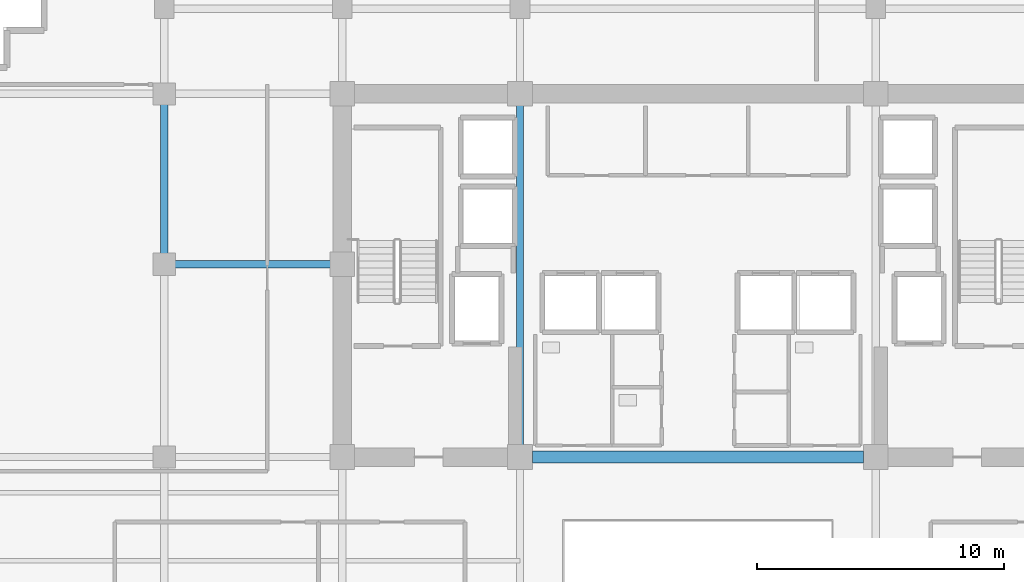
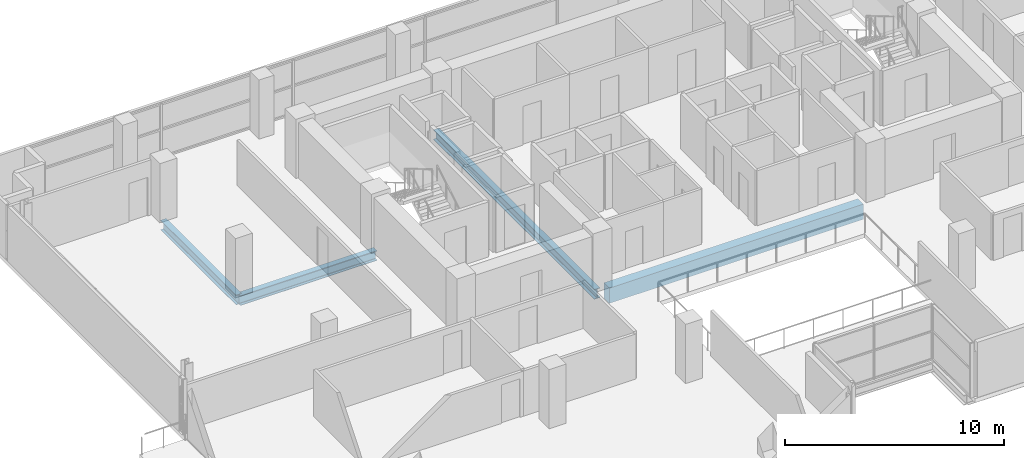
# One storey, part 9 of 27: 4 beams.
"""IFC4 building model written with IfcOpenShell, lengths in metres."""

from ifc_helpers import new_model, si_unit, direction, frame, origin, origin_2d, place, context, subcontext, project, spatial, rectangle, i_section, extrude, material, material_profile, profile_set, type_object, element, save


model = new_model("IFC4")

# Units and contexts
model_context = context("Model", 3, precision=1e-05, world=origin(), true_north=direction((0.0, 1.0)))
body_context = subcontext(model_context, "Body", "Model", "MODEL_VIEW")
ifc_project = project(units=[si_unit("LENGTHUNIT", "METRE"), si_unit("AREAUNIT", "SQUARE_METRE"), si_unit("VOLUMEUNIT", "CUBIC_METRE"), si_unit("PLANEANGLEUNIT", "RADIAN"), si_unit("MASSUNIT", "GRAM", prefix="KILO")], contexts=[model_context])

# Site, building, storey
site_placement = place(None, origin())
site = spatial("IfcSite", under=ifc_project, at=site_placement, CompositionType="ELEMENT")
building_placement = place(site_placement, origin())
building = spatial("IfcBuilding", under=site, at=building_placement, Name="Zarnakvel Exchange Tower", CompositionType="ELEMENT")
storey_placement = place(building_placement, frame((0.0, 0.0, 96.699951171875)))
storey = spatial("IfcBuildingStorey", under=building, at=storey_placement, Name="L26", CompositionType="ELEMENT", Elevation=96.699951171875)

# Beams
ifc_material_1 = material(Name="Concrete C60/75", Category="concrete")
ifc_material_profile_1 = material_profile(ifc_material_1, rectangle(XDim=0.5, YDim=0.85009765625, at=origin_2d()))
ifc_profile_set_1 = profile_set([ifc_material_profile_1], Name="Concrete C60/75")
beam_type_1 = type_object("IfcBeamType", Name="CB-02", PredefinedType="LINTEL", material=ifc_profile_set_1)
beam_1_placement = place(storey_placement, frame((-6.699951171875, -1.199951171875, -0.64990234375), z_axis=(1.0, 0.0, 0.0), x_axis=(0.0, 1.0, 0.0)))
element("IfcBeam", 1, at=beam_1_placement, inside=storey, type_object=beam_type_1, Name="L26 Rear Core South Coupling Beam (CB-02)", PredefinedType="LINTEL", context=body_context, shape_type="SweptSolid", body=[
    extrude(rectangle(XDim=0.5, YDim=0.85009765625, at=origin_2d()), origin(), (0.0, 0.0, 1.0), 13.39990234375),
])
ifc_material_2 = material(Name="Steel S355", Category="steel")
ifc_material_profile_2 = material_profile(ifc_material_2, i_section(OverallWidth=0.300048828125, OverallDepth=0.550048828125, WebThickness=0.014892578125, FlangeThickness=0.029052734375, FilletRadius=0.027099609375, at=origin_2d()))
ifc_profile_set_2 = profile_set([ifc_material_profile_2], Name="Steel S355")
beam_type_2 = type_object("IfcBeamType", Name="G-05", PredefinedType="BEAM", material=ifc_profile_set_2)
beam_2_placement = place(storey_placement, frame((-21.60009765625, 6.60009765625, -0.5), z_axis=(1.0, 0.0, 0.0), x_axis=(0.0, 1.0, 0.0)))
element("IfcBeam", 2, at=beam_2_placement, inside=storey, type_object=beam_type_2, Name="L26 Tower E-W Frame Beam", PredefinedType="BEAM", context=body_context, shape_type="SweptSolid", body=[
    extrude(i_section(OverallWidth=0.300048828125, OverallDepth=0.550048828125, WebThickness=0.014892578125, FlangeThickness=0.029052734375, FilletRadius=0.027099609375, at=origin_2d()), origin(), (0.0, 0.0, 1.0), 7.2001953125),
])
beam_3_placement = place(storey_placement, frame((-21.60009765625, 6.60009765625, -0.5), z_axis=(0.0, 1.0, 0.0), x_axis=(-1.0, 0.0, 0.0)))
element("IfcBeam", 3, at=beam_3_placement, inside=storey, type_object=beam_type_2, Name="L26 Tower N-S Frame Beam", PredefinedType="BEAM", context=body_context, shape_type="SweptSolid", body=[
    extrude(i_section(OverallWidth=0.300048828125, OverallDepth=0.550048828125, WebThickness=0.014892578125, FlangeThickness=0.029052734375, FilletRadius=0.027099609375, at=origin_2d()), origin(), (0.0, 0.0, 1.0), 6.89990234375),
])
beam_4_placement = place(storey_placement, frame((-7.199951171875, -1.199951171875, -0.5), z_axis=(0.0, 1.0, 0.0), x_axis=(-1.0, 0.0, 0.0)))
element("IfcBeam", 4, at=beam_4_placement, inside=storey, type_object=beam_type_2, Name="L26 Tower N-S Frame Beam", PredefinedType="BEAM", context=body_context, shape_type="SweptSolid", body=[
    extrude(i_section(OverallWidth=0.300048828125, OverallDepth=0.550048828125, WebThickness=0.014892578125, FlangeThickness=0.029052734375, FilletRadius=0.027099609375, at=origin_2d()), origin(), (0.0, 0.0, 1.0), 14.699951171875),
])

save(model, "model.ifc")
